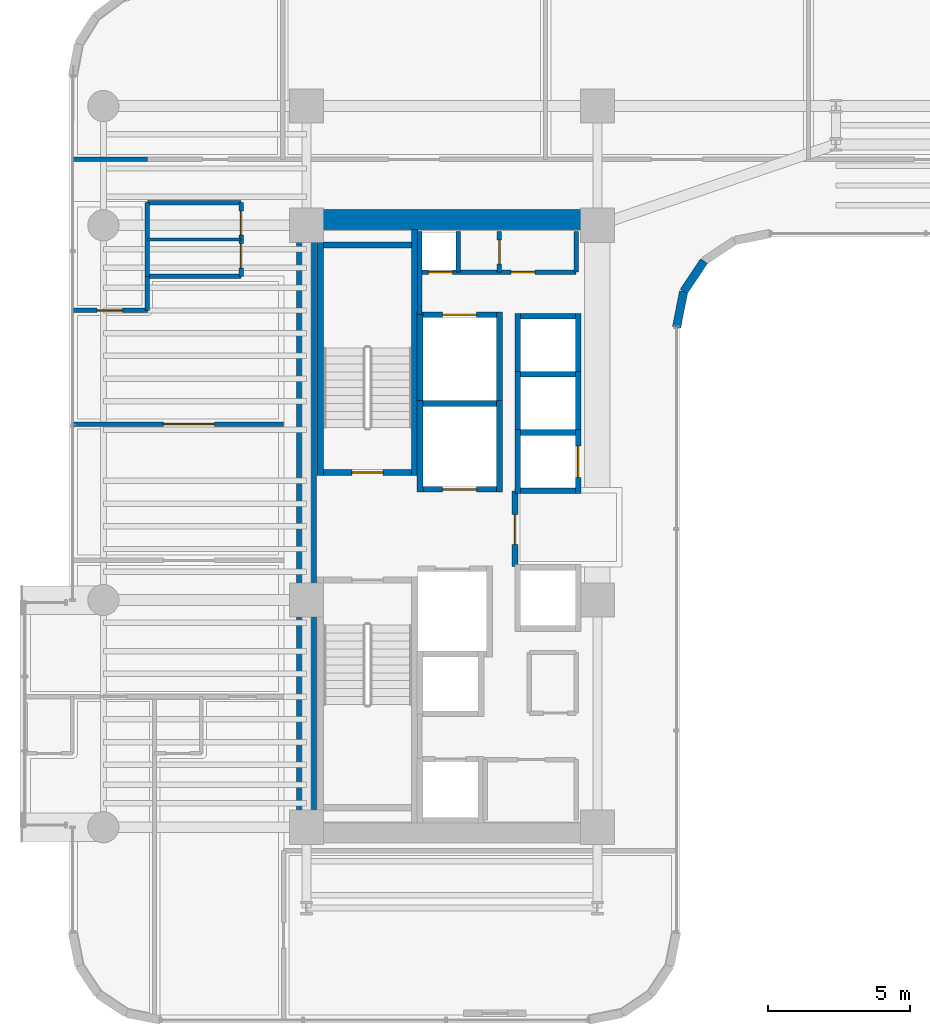
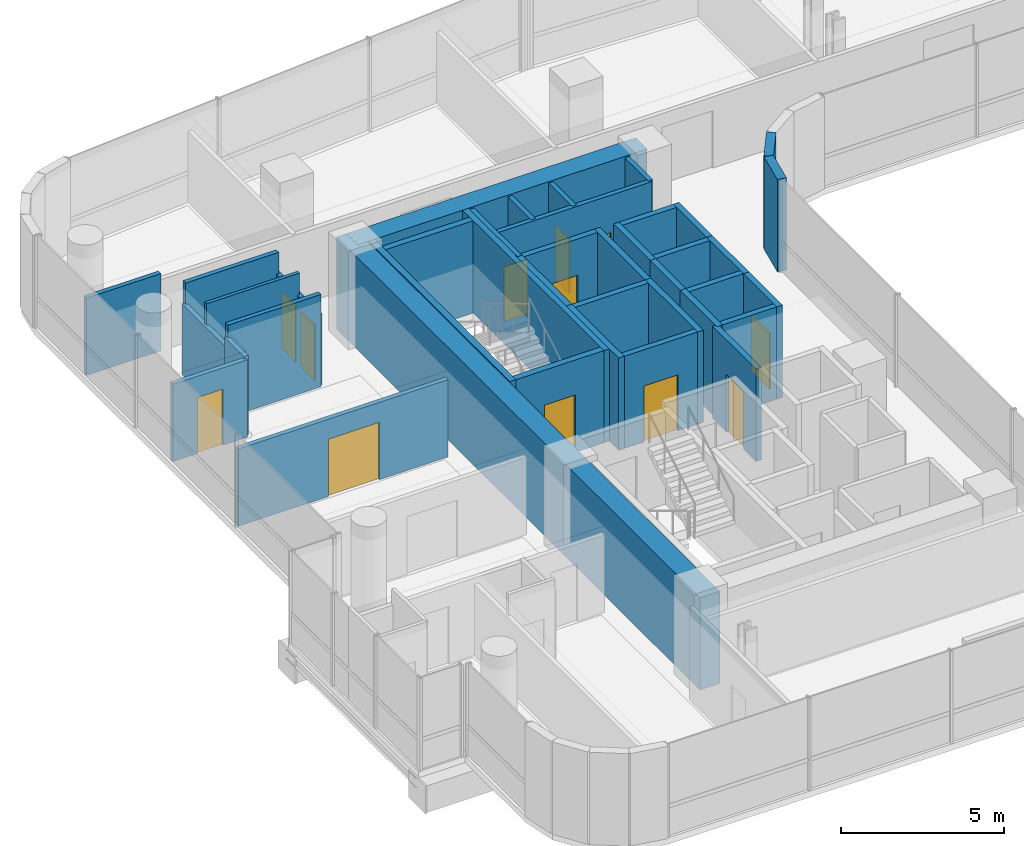
# One storey, part 29 of 37: 40 walls, 12 doors, 12 openings.
"""IFC4 building model written with IfcOpenShell, lengths in metres."""

from ifc_helpers import new_model, si_unit, direction, frame, frame_2d, origin, place, context, subcontext, project, spatial, rectangle, extrude, material, layer, layer_set, type_object, element, fill, save


model = new_model("IFC4")

# Units and contexts
model_context = context("Model", 3, precision=1e-05, world=origin(), true_north=direction((0.0, 1.0)))
body_context = subcontext(model_context, "Body", "Model", "MODEL_VIEW")
ifc_project = project(units=[si_unit("LENGTHUNIT", "METRE"), si_unit("AREAUNIT", "SQUARE_METRE"), si_unit("VOLUMEUNIT", "CUBIC_METRE"), si_unit("PLANEANGLEUNIT", "RADIAN"), si_unit("MASSUNIT", "GRAM", prefix="KILO")], contexts=[model_context])

# Site, building, storey
site_placement = place(None, origin())
site = spatial("IfcSite", under=ifc_project, at=site_placement, CompositionType="ELEMENT")
building_placement = place(site_placement, origin())
building = spatial("IfcBuilding", under=site, at=building_placement, Name="Valdorenza Pilgrim Sanctuary Tower", CompositionType="ELEMENT")
storey_placement = place(building_placement, frame((0.0, 0.0, 135.300048828125)))
storey = spatial("IfcBuildingStorey", under=building, at=storey_placement, Name="L34", CompositionType="ELEMENT", Elevation=135.300048828125)

# Wall
ifc_material_1 = material(Name="Acoustic twin-stud gypsum partition", Category="gypsum")
ifc_layer_1 = layer(ifc_material_1, 0.159912109375, Name="Acoustic twin-stud gypsum partition")
ifc_layer_set_1 = layer_set([ifc_layer_1], Name="Acoustic twin-stud gypsum partition")
wall_type_1 = type_object("IfcWallType", Name="WAL-COR-160", PredefinedType="PARTITIONING", material=ifc_layer_set_1)
wall_1_placement = place(storey_placement, frame((-18.64990234375, 7.449951171875, 0.0), z_axis=(0.0, 0.0, 1.0), x_axis=(0.0, 1.0, 0.0)))
element("IfcWall", 1, at=wall_1_placement, inside=storey, type_object=wall_type_1, Name="L34 Core A North Service West Wall", PredefinedType="PARTITIONING", context=body_context, shape_type="SweptSolid", body=[
    extrude(rectangle(XDim=2.929931640625, YDim=0.159912109375, at=frame_2d((1.46484375, 0.0))), origin(), (0.0, 0.0, 1.0), 3.4599609375),
])

# Wall, openings, doors
wall_2_placement = place(storey_placement, frame((-18.64990234375, 8.949951171875, 0.0), z_axis=(0.0, 0.0, 1.0), x_axis=(1.0, 0.0, 0.0)))
wall_2 = element("IfcWall", 2, at=wall_2_placement, inside=storey, type_object=wall_type_1, Name="L34 Core A North Service South Wall", PredefinedType="PARTITIONING", context=body_context, shape_type="SweptSolid", body=[
    extrude(rectangle(XDim=5.5, YDim=0.159912109375, at=frame_2d((2.75, 0.0))), origin(), (0.0, 0.0, 1.0), 3.4599609375),
])
opening_1_placement = place(wall_2_placement, frame((0.300048828125, 0.0, 0.0)))
opening_1 = element("IfcOpeningElement", 3, at=opening_1_placement, cuts=wall_2, Name="Opening DR-RS1", PredefinedType="OPENING", context=body_context, shape_type="SweptSolid", body=[
    extrude(rectangle(XDim=0.85009765625, YDim=2.050048828125, at=frame_2d((0.425048828125, 1.02490234375))), frame((0.0, 0.0947265625, 0.0), z_axis=(0.0, -1.0, 0.0), x_axis=(1.0, 0.0, 0.0)), (0.0, 0.0, 1.0), 0.189697265625),
])
opening_2_placement = place(wall_2_placement, frame((3.199951171875, 0.0, 0.0)))
opening_2 = element("IfcOpeningElement", 4, at=opening_2_placement, cuts=wall_2, Name="Opening DR-RS1", PredefinedType="OPENING", context=body_context, shape_type="SweptSolid", body=[
    extrude(rectangle(XDim=0.85009765625, YDim=2.050048828125, at=frame_2d((0.425048828125, 1.02490234375))), frame((0.0, 0.0947265625, 0.0), z_axis=(0.0, -1.0, 0.0), x_axis=(1.0, 0.0, 0.0)), (0.0, 0.0, 1.0), 0.189697265625),
])
ifc_material_2 = material(Name="Painted galvanized steel", Category="steel")
door_type_1 = type_object("IfcDoorType", Name="DR-RSR-850", OperationType="NOTDEFINED", PredefinedType="DOOR", material=ifc_material_2)
door_1_placement = place(opening_1_placement, origin())
door_1 = element("IfcDoor", 5, at=door_1_placement, inside=storey, type_object=door_type_1, Name="L34 Core Electrical and Telecom Riser Door", OperationType="SINGLE_SWING_LEFT", OverallHeight=2.050048828125, OverallWidth=0.85009765625, PredefinedType="DOOR", context=body_context, shape_type="SweptSolid", body=[
    extrude(rectangle(XDim=0.85009765625, YDim=2.050048828125, at=frame_2d((0.425048828125, 1.02490234375))), frame((0.0, 0.02490234375, 0.0), z_axis=(0.0, -1.0, 0.0), x_axis=(1.0, 0.0, 0.0)), (0.0, 0.0, 1.0), 0.050048828125),
])
fill(opening_1, door_1)
door_2_placement = place(opening_2_placement, origin())
door_2 = element("IfcDoor", 6, at=door_2_placement, inside=storey, type_object=door_type_1, Name="L34 Housekeeping and Clean Linen Room Door", OperationType="SINGLE_SWING_RIGHT", OverallHeight=2.050048828125, OverallWidth=0.85009765625, PredefinedType="DOOR", context=body_context, shape_type="SweptSolid", body=[
    extrude(rectangle(XDim=0.85009765625, YDim=2.050048828125, at=frame_2d((0.425048828125, 1.02490234375))), frame((0.0, 0.02490234375, 0.0), z_axis=(0.0, -1.0, 0.0), x_axis=(1.0, 0.0, 0.0)), (0.0, 0.0, 1.0), 0.050048828125),
])
fill(opening_2, door_2)

# Walls
for number, where, z_axis, x_axis, name in (
    (7, (-13.14990234375, 8.949951171875, 0.0), (0.0, 0.0, 1.0), (0.0, 1.0, 0.0), "L34 Core A North Service East Wall"),
    (8, (-17.300048828125, 8.949951171875, 0.0), (0.0, 0.0, 1.0), (0.0, 1.0, 0.0), "L34 Core Electrical Riser Wall"),
):
    element("IfcWall", number, at=place(storey_placement, frame(where, z_axis=z_axis, x_axis=x_axis)), inside=storey, type_object=wall_type_1, Name=name, PredefinedType="PARTITIONING", context=body_context, shape_type="SweptSolid", body=[
        extrude(rectangle(XDim=1.429931640625, YDim=0.159912109375, at=frame_2d((0.71484375, 0.0))), origin(), (0.0, 0.0, 1.0), 3.4599609375),
    ])

# Wall, opening, door
wall_3_placement = place(storey_placement, frame((-15.85009765625, 8.949951171875, 0.0), z_axis=(0.0, 0.0, 1.0), x_axis=(0.0, 1.0, 0.0)))
wall_3 = element("IfcWall", 9, at=wall_3_placement, inside=storey, type_object=wall_type_1, Name="L34 Core A Split C", PredefinedType="PARTITIONING", context=body_context, shape_type="SweptSolid", body=[
    extrude(rectangle(XDim=1.429931640625, YDim=0.159912109375, at=frame_2d((0.71484375, 0.0))), origin(), (0.0, 0.0, 1.0), 3.4599609375),
])
opening_3_placement = place(wall_3_placement, frame((0.2900390625, 0.0, 0.0)))
opening_3 = element("IfcOpeningElement", 10, at=opening_3_placement, cuts=wall_3, Name="Opening DR-RS1", PredefinedType="OPENING", context=body_context, shape_type="SweptSolid", body=[
    extrude(rectangle(XDim=0.85009765625, YDim=2.050048828125, at=frame_2d((0.425048828125, 1.02490234375))), frame((0.0, 0.0947265625, 0.0), z_axis=(0.0, -1.0, 0.0), x_axis=(1.0, 0.0, 0.0)), (0.0, 0.0, 1.0), 0.189697265625),
])
door_3_placement = place(opening_3_placement, origin())
door_3 = element("IfcDoor", 11, at=door_3_placement, inside=storey, type_object=door_type_1, Name="L34 Clean Linen Supply Store Door", OperationType="SINGLE_SWING_LEFT", OverallHeight=2.050048828125, OverallWidth=0.85009765625, PredefinedType="DOOR", context=body_context, shape_type="SweptSolid", body=[
    extrude(rectangle(XDim=0.85009765625, YDim=2.050048828125, at=frame_2d((0.425048828125, 1.02490234375))), frame((0.0, 0.02490234375, 0.0), z_axis=(0.0, -1.0, 0.0), x_axis=(1.0, 0.0, 0.0)), (0.0, 0.0, 1.0), 0.050048828125),
])
fill(opening_3, door_3)

# Wall
wall_4_placement = place(storey_placement, frame((-28.25, 8.800048828125, 0.0), z_axis=(0.0, 0.0, 1.0), x_axis=(0.0, 1.0, 0.0)))
element("IfcWall", 12, at=wall_4_placement, inside=storey, type_object=wall_type_1, Name="L34 Washroom West Wall", PredefinedType="PARTITIONING", context=body_context, shape_type="SweptSolid", body=[
    extrude(rectangle(XDim=2.599853515625, YDim=0.159912109375, at=frame_2d((1.2998046875, 0.0))), origin(), (0.0, 0.0, 1.0), 2.666015625),
])

# Wall, openings, doors
wall_5_placement = place(storey_placement, frame((-24.949951171875, 8.800048828125, 0.0), z_axis=(0.0, 0.0, 1.0), x_axis=(0.0, 1.0, 0.0)))
wall_5 = element("IfcWall", 13, at=wall_5_placement, inside=storey, type_object=wall_type_1, Name="L34 Washroom East Wall", PredefinedType="PARTITIONING", context=body_context, shape_type="SweptSolid", body=[
    extrude(rectangle(XDim=2.599853515625, YDim=0.159912109375, at=frame_2d((1.2998046875, 0.0))), origin(), (0.0, 0.0, 1.0), 2.666015625),
])
opening_4_placement = place(wall_5_placement, frame((0.300048828125, 0.0, 0.0)))
opening_4 = element("IfcOpeningElement", 14, at=opening_4_placement, cuts=wall_5, Name="Opening DR-WC1", PredefinedType="OPENING", context=body_context, shape_type="SweptSolid", body=[
    extrude(rectangle(XDim=0.85009765625, YDim=2.10009765625, at=frame_2d((0.425048828125, 1.050048828125))), frame((0.0, 0.0947265625, 0.0), z_axis=(0.0, -1.0, 0.0), x_axis=(1.0, 0.0, 0.0)), (0.0, 0.0, 1.0), 0.189697265625),
])
opening_5_placement = place(wall_5_placement, frame((1.449951171875, 0.0, 0.0)))
opening_5 = element("IfcOpeningElement", 15, at=opening_5_placement, cuts=wall_5, Name="Opening DR-WC1", PredefinedType="OPENING", context=body_context, shape_type="SweptSolid", body=[
    extrude(rectangle(XDim=0.85009765625, YDim=2.10009765625, at=frame_2d((0.425048828125, 1.050048828125))), frame((0.0, 0.0947265625, 0.0), z_axis=(0.0, -1.0, 0.0), x_axis=(1.0, 0.0, 0.0)), (0.0, 0.0, 1.0), 0.189697265625),
])
ifc_material_3 = material(Name="Moisture-resistant lacquered timber", Category="wood")
door_type_2 = type_object("IfcDoorType", Name="DR-BATH-850", OperationType="NOTDEFINED", PredefinedType="DOOR", material=ifc_material_3)
door_4_placement = place(opening_4_placement, origin())
door_4 = element("IfcDoor", 16, at=door_4_placement, inside=storey, type_object=door_type_2, Name="L34 Accessible Washroom Door", OperationType="SINGLE_SWING_LEFT", OverallHeight=2.10009765625, OverallWidth=0.85009765625, PredefinedType="DOOR", context=body_context, shape_type="SweptSolid", body=[
    extrude(rectangle(XDim=0.85009765625, YDim=2.10009765625, at=frame_2d((0.425048828125, 1.050048828125))), frame((0.0, 0.02490234375, 0.0), z_axis=(0.0, -1.0, 0.0), x_axis=(1.0, 0.0, 0.0)), (0.0, 0.0, 1.0), 0.050048828125),
])
fill(opening_4, door_4)
door_5_placement = place(opening_5_placement, origin())
door_5 = element("IfcDoor", 17, at=door_5_placement, inside=storey, type_object=door_type_2, Name="L34 Public Washroom Door", OperationType="SINGLE_SWING_RIGHT", OverallHeight=2.10009765625, OverallWidth=0.85009765625, PredefinedType="DOOR", context=body_context, shape_type="SweptSolid", body=[
    extrude(rectangle(XDim=0.85009765625, YDim=2.10009765625, at=frame_2d((0.425048828125, 1.050048828125))), frame((0.0, 0.02490234375, 0.0), z_axis=(0.0, -1.0, 0.0), x_axis=(1.0, 0.0, 0.0)), (0.0, 0.0, 1.0), 0.050048828125),
])
fill(opening_5, door_5)

# Walls
for number, where, z_axis, x_axis, name in (
    (18, (-28.25, 8.800048828125, 0.0), (0.0, 0.0, 1.0), (1.0, 0.0, 0.0), "L34 Washroom South Wall"),
    (19, (-28.25, 11.39990234375, 0.0), (0.0, 0.0, 1.0), (1.0, 0.0, 0.0), "L34 Washroom North Wall"),
):
    element("IfcWall", number, at=place(storey_placement, frame(where, z_axis=z_axis, x_axis=x_axis)), inside=storey, type_object=wall_type_1, Name=name, PredefinedType="PARTITIONING", context=body_context, shape_type="SweptSolid", body=[
        extrude(rectangle(XDim=3.300048828125, YDim=0.159912109375, at=frame_2d((1.64990234375, 0.0))), origin(), (0.0, 0.0, 1.0), 3.4599609375),
    ])

# Wall, opening, door
wall_6_placement = place(storey_placement, frame((-30.889892578125, 7.60009765625, 0.0), z_axis=(0.0, 0.0, 1.0), x_axis=(1.0, 0.0, 0.0)))
wall_6 = element("IfcWall", 20, at=wall_6_placement, inside=storey, type_object=wall_type_1, Name="L34 Cloister North Room Wall", PredefinedType="PARTITIONING", context=body_context, shape_type="SweptSolid", body=[
    extrude(rectangle(XDim=2.639892578125, YDim=0.159912109375, at=frame_2d((1.31982421875, 0.0))), origin(), (0.0, 0.0, 1.0), 2.89599609375),
])
opening_6_placement = place(wall_6_placement, frame((0.8701171875, 0.0, 0.0)))
opening_6 = element("IfcOpeningElement", 21, at=opening_6_placement, cuts=wall_6, Name="Opening DR-RM1", PredefinedType="OPENING", context=body_context, shape_type="SweptSolid", body=[
    extrude(rectangle(XDim=0.89990234375, YDim=2.10009765625, at=frame_2d((0.449951171875, 1.050048828125))), frame((0.0, 0.0947265625, 0.0), z_axis=(0.0, -1.0, 0.0), x_axis=(1.0, 0.0, 0.0)), (0.0, 0.0, 1.0), 0.189697265625),
])
ifc_material_4 = material(Name="Solid-core European oak timber", Category="wood")
door_type_3 = type_object("IfcDoorType", Name="DR-ROOM-900", OperationType="NOTDEFINED", PredefinedType="DOOR", material=ifc_material_4)
door_6_placement = place(opening_6_placement, frame((0.89990234375, 0.0, 0.0), z_axis=(0.0, 0.0, 1.0), x_axis=(-1.0, 0.0, 0.0)))
door_6 = element("IfcDoor", 22, at=door_6_placement, inside=storey, type_object=door_type_3, Name="L34 Pastoral Scholar Office L34-CN1 Door", OperationType="SINGLE_SWING_LEFT", OverallHeight=2.10009765625, OverallWidth=0.89990234375, PredefinedType="DOOR", context=body_context, shape_type="SweptSolid", body=[
    extrude(rectangle(XDim=0.89990234375, YDim=2.10009765625, at=frame_2d((0.449951171875, 1.050048828125))), frame((0.0, 0.02490234375, 0.0), z_axis=(0.0, -1.0, 0.0), x_axis=(1.0, 0.0, 0.0)), (0.0, 0.0, 1.0), 0.050048828125),
])
fill(opening_6, door_6)

# Wall
wall_7_placement = place(storey_placement, frame((-28.25, 7.60009765625, 0.0), z_axis=(0.0, 0.0, 1.0), x_axis=(0.0, 1.0, 0.0)))
element("IfcWall", 23, at=wall_7_placement, inside=storey, type_object=wall_type_1, Name="L34 Cloister NE Closure", PredefinedType="PARTITIONING", context=body_context, shape_type="SweptSolid", body=[
    extrude(rectangle(XDim=1.199951171875, YDim=0.159912109375, at=frame_2d((0.60009765625, 0.0))), origin(), (0.0, 0.0, 1.0), 2.988037109375),
])

# Wall, opening, door
wall_8_placement = place(storey_placement, frame((-30.889892578125, 3.60009765625, 0.0), z_axis=(0.0, 0.0, 1.0), x_axis=(1.0, 0.0, 0.0)))
wall_8 = element("IfcWall", 24, at=wall_8_placement, inside=storey, type_object=wall_type_1, Name="L34 Cloister Mid Wall 2", PredefinedType="PARTITIONING", context=body_context, shape_type="SweptSolid", body=[
    extrude(rectangle(XDim=7.43994140625, YDim=0.159912109375, at=frame_2d((3.719970703125, 0.0))), origin(), (0.0, 0.0, 1.0), 2.89599609375),
])
opening_7_placement = place(wall_8_placement, frame((3.199951171875, 0.0, 0.0)))
opening_7 = element("IfcOpeningElement", 25, at=opening_7_placement, cuts=wall_8, Name="Opening DR-HL1", PredefinedType="OPENING", context=body_context, shape_type="SweptSolid", body=[
    extrude(rectangle(XDim=1.800048828125, YDim=2.14990234375, at=frame_2d((0.89990234375, 1.074951171875))), frame((0.0, 0.0947265625, 0.0), z_axis=(0.0, -1.0, 0.0), x_axis=(1.0, 0.0, 0.0)), (0.0, 0.0, 1.0), 0.189697265625),
])
ifc_material_5 = material(Name="Acoustic oak and vision-glass double door", Category="glass")
door_type_4 = type_object("IfcDoorType", Name="DR-HALL-1800", OperationType="NOTDEFINED", PredefinedType="DOOR", material=ifc_material_5)
door_7_placement = place(opening_7_placement, frame((1.800048828125, 0.0, 0.0), z_axis=(0.0, 0.0, 1.0), x_axis=(-1.0, 0.0, 0.0)))
door_7 = element("IfcDoor", 26, at=door_7_placement, inside=storey, type_object=door_type_4, Name="L34 Cloister Mid-North Double Door", OperationType="DOUBLE_DOOR_SINGLE_SWING", OverallHeight=2.14990234375, OverallWidth=1.800048828125, PredefinedType="DOOR", context=body_context, shape_type="SweptSolid", body=[
    extrude(rectangle(XDim=1.800048828125, YDim=2.14990234375, at=frame_2d((0.89990234375, 1.074951171875))), frame((0.0, 0.02490234375, 0.0), z_axis=(0.0, -1.0, 0.0), x_axis=(1.0, 0.0, 0.0)), (0.0, 0.0, 1.0), 0.050048828125),
])
fill(opening_7, door_7)

# Walls
wall_9_placement = place(storey_placement, frame((-30.889892578125, 12.919921875, 0.0), z_axis=(0.0, 0.0, 1.0), x_axis=(1.0, 0.0, 0.0)))
element("IfcWall", 27, at=wall_9_placement, inside=storey, type_object=wall_type_1, Name="L34 Cloister North Solid Partition", PredefinedType="PARTITIONING", context=body_context, shape_type="SweptSolid", body=[
    extrude(rectangle(XDim=2.639892578125, YDim=0.159912109375, at=frame_2d((1.31982421875, 0.0))), origin(), (0.0, 0.0, 1.0), 2.89599609375),
])
ifc_material_6 = material(Name="Concrete C60/75", Category="concrete")
ifc_layer_2 = layer(ifc_material_6, 0.699951171875, Name="Concrete C60/75")
ifc_layer_set_2 = layer_set([ifc_layer_2], Name="Concrete C60/75")
wall_type_2 = type_object("IfcWallType", Name="WAL-COR-700", PredefinedType="SHEAR", material=ifc_layer_set_2)
wall_10_placement = place(storey_placement, frame((-22.64990234375, -11.14990234375, 0.0), z_axis=(0.0, 0.0, 1.0), x_axis=(0.0, 1.0, 0.0)))
element("IfcWall", 28, at=wall_10_placement, inside=storey, type_object=wall_type_2, Name="L34 Split Core A Shear Wall W", PredefinedType="SHEAR", context=body_context, shape_type="SweptSolid", body=[
    extrude(rectangle(XDim=22.2998046875, YDim=0.699951171875, at=frame_2d((11.14990234375, 0.0))), origin(), (0.0, 0.0, 1.0), 3.4599609375),
])
wall_11_placement = place(storey_placement, frame((-22.64990234375, 10.800048828125, 0.0), z_axis=(0.0, 0.0, 1.0), x_axis=(1.0, 0.0, 0.0)))
element("IfcWall", 29, at=wall_11_placement, inside=storey, type_object=wall_type_2, Name="L34 Split Core A Shear Wall N", PredefinedType="SHEAR", context=body_context, shape_type="SweptSolid", body=[
    extrude(rectangle(XDim=10.25, YDim=0.699951171875, at=frame_2d((5.125, 0.0))), origin(), (0.0, 0.0, 1.0), 3.4599609375),
])
ifc_material_7 = material(Name="Honed travertine limestone", Category="masonry")
ifc_layer_3 = layer(ifc_material_7, 0.300048828125, Name="Honed travertine limestone")
ifc_layer_set_3 = layer_set([ifc_layer_3], Name="Honed travertine limestone")
wall_type_3 = type_object("IfcWallType", Name="WAL-EXT-300", PredefinedType="SOLIDWALL", material=ifc_layer_set_3)
wall_12_placement = place(storey_placement, frame((-8.64208984375, 9.342041015625, 0.0), z_axis=(0.0, 0.0, 1.0), x_axis=(-0.555615398575, -0.831439431869, 0.0)))
element("IfcWall", 30, at=wall_12_placement, inside=storey, type_object=wall_type_3, Name="L34 Rounded Wind-Corner Stone Pier 39", PredefinedType="SOLIDWALL", context=body_context, shape_type="SweptSolid", body=[
    extrude(rectangle(XDim=1.292236328125, YDim=0.300048828125, at=frame_2d((0.64599609375, 0.0))), origin(), (0.0, 0.0, 1.0), 3.4599609375),
])
wall_13_placement = place(storey_placement, frame((-9.360107421875, 8.267578125, 0.0), z_axis=(0.0, 0.0, 1.0), x_axis=(-0.195090163074, -0.980785312019, 0.0)))
element("IfcWall", 31, at=wall_13_placement, inside=storey, type_object=wall_type_3, Name="L34 Rounded Wind-Corner Stone Pier 40", PredefinedType="SOLIDWALL", context=body_context, shape_type="SweptSolid", body=[
    extrude(rectangle(XDim=1.281494140625, YDim=0.300048828125, at=frame_2d((0.640625, 0.0))), origin(), (0.0, 0.0, 1.0), 3.4599609375),
])

# Wall, opening, door
ifc_material_8 = material(Name="Gypsum shaftwall partition", Category="gypsum")
ifc_layer_4 = layer(ifc_material_8, 0.199951171875, Name="Gypsum shaftwall partition")
ifc_layer_set_4 = layer_set([ifc_layer_4], Name="Gypsum shaftwall partition")
wall_type_4 = type_object("IfcWallType", Name="WAL-FFL-200", PredefinedType="PARTITIONING", material=ifc_layer_set_4)
wall_14_placement = place(storey_placement, frame((-15.300048828125, -1.419921875, 0.0), z_axis=(0.0, 0.0, 1.0), x_axis=(0.0, 1.0, 0.0)))
wall_14 = element("IfcWall", 32, at=wall_14_placement, inside=storey, type_object=wall_type_4, Name="L34 Core A Firefighting Lobby East Wall", PredefinedType="PARTITIONING", context=body_context, shape_type="SweptSolid", body=[
    extrude(rectangle(XDim=2.669921875, YDim=0.199951171875, at=frame_2d((1.3349609375, 0.0))), origin(), (0.0, 0.0, 1.0), 3.4599609375),
])
opening_8_placement = place(wall_14_placement, frame((0.780029296875, 0.0, 0.0)))
opening_8 = element("IfcOpeningElement", 33, at=opening_8_placement, cuts=wall_14, Name="Opening DR-FL1", PredefinedType="OPENING", context=body_context, shape_type="SweptSolid", body=[
    extrude(rectangle(XDim=1.050048828125, YDim=2.14990234375, at=frame_2d((0.52490234375, 1.074951171875))), frame((0.0, 0.11474609375, 0.0), z_axis=(0.0, -1.0, 0.0), x_axis=(1.0, 0.0, 0.0)), (0.0, 0.0, 1.0), 0.229736328125),
])
door_type_5 = type_object("IfcDoorType", Name="DR-FFL-1050", OperationType="NOTDEFINED", PredefinedType="DOOR", material=ifc_material_2)
door_8_placement = place(opening_8_placement, origin())
door_8 = element("IfcDoor", 34, at=door_8_placement, inside=storey, type_object=door_type_5, Name="L34 Core A Firefighting Lobby Door", OperationType="SINGLE_SWING_RIGHT", OverallHeight=2.14990234375, OverallWidth=1.050048828125, PredefinedType="DOOR", context=body_context, shape_type="SweptSolid", body=[
    extrude(rectangle(XDim=1.050048828125, YDim=2.14990234375, at=frame_2d((0.52490234375, 1.074951171875))), frame((0.0, 0.02490234375, 0.0), z_axis=(0.0, -1.0, 0.0), x_axis=(1.0, 0.0, 0.0)), (0.0, 0.0, 1.0), 0.050048828125),
])
fill(opening_8, door_8)

# Walls
ifc_material_9 = material(Name="Moisture-resistant gypsum partition", Category="gypsum")
ifc_layer_5 = layer(ifc_material_9, 0.1201171875, Name="Moisture-resistant gypsum partition")
ifc_layer_set_5 = layer_set([ifc_layer_5], Name="Moisture-resistant gypsum partition")
wall_type_5 = type_object("IfcWallType", Name="WAL-INT-120", PredefinedType="PARTITIONING", material=ifc_layer_set_5)
wall_15_placement = place(storey_placement, frame((-28.25, 10.10009765625, 0.0), z_axis=(0.0, 0.0, 1.0), x_axis=(1.0, 0.0, 0.0)))
element("IfcWall", 35, at=wall_15_placement, inside=storey, type_object=wall_type_5, Name="L34 Washroom Divider Wall", PredefinedType="PARTITIONING", context=body_context, shape_type="SweptSolid", body=[
    extrude(rectangle(XDim=3.300048828125, YDim=0.1201171875, at=frame_2d((1.64990234375, 0.0))), origin(), (0.0, 0.0, 1.0), 3.4599609375),
])
ifc_material_10 = material(Name="Autoclaved aerated concrete blockwork", Category="masonry")
ifc_layer_6 = layer(ifc_material_10, 0.199951171875, Name="Autoclaved aerated concrete blockwork")
ifc_layer_set_6 = layer_set([ifc_layer_6], Name="Autoclaved aerated concrete blockwork")
wall_type_6 = type_object("IfcWallType", Name="WAL-SHF-200", PredefinedType="MOVABLE", material=ifc_layer_set_6)
for number, where, z_axis, x_axis, name in (
    (36, (-18.64990234375, 1.199951171875, 0.0), (0.0, 0.0, 1.0), (0.0, 1.0, 0.0), "L34 Lift FFL-01 Hoistway Wall West"),
    (37, (-15.85009765625, 1.199951171875, 0.0), (0.0, 0.0, 1.0), (0.0, 1.0, 0.0), "L34 Lift FFL-01 Hoistway Wall East"),
):
    element("IfcWall", number, at=place(storey_placement, frame(where, z_axis=z_axis, x_axis=x_axis)), inside=storey, type_object=wall_type_6, Name=name, PredefinedType="MOVABLE", context=body_context, shape_type="SweptSolid", body=[
        extrude(rectangle(XDim=3.22509765625, YDim=0.199951171875, at=frame_2d((1.612548828125, 0.0))), origin(), (0.0, 0.0, 1.0), 3.4599609375),
    ])

# Wall, opening, door
wall_16_placement = place(storey_placement, frame((-18.550048828125, 1.300048828125, 0.0), z_axis=(0.0, 0.0, 1.0), x_axis=(1.0, 0.0, 0.0)))
wall_16 = element("IfcWall", 38, at=wall_16_placement, inside=storey, type_object=wall_type_6, Name="L34 Lift FFL-01 Hoistway Wall South", PredefinedType="MOVABLE", context=body_context, shape_type="SweptSolid", body=[
    extrude(rectangle(XDim=2.60009765625, YDim=0.199951171875, at=frame_2d((1.300048828125, 0.0))), origin(), (0.0, 0.0, 1.0), 3.4599609375),
])
opening_9_placement = place(wall_16_placement, frame((0.699951171875, 0.0, 0.0)))
opening_9 = element("IfcOpeningElement", 39, at=opening_9_placement, cuts=wall_16, Name="Opening LD-02", PredefinedType="OPENING", context=body_context, shape_type="SweptSolid", body=[
    extrude(rectangle(XDim=1.199951171875, YDim=2.10009765625, at=frame_2d((0.60009765625, 1.050048828125))), frame((0.0, 0.11474609375, 0.0), z_axis=(0.0, -1.0, 0.0), x_axis=(1.0, 0.0, 0.0)), (0.0, 0.0, 1.0), 0.229736328125),
])
ifc_material_11 = material(Name="Brushed stainless steel Grade 316", Category="steel")
door_type_6 = type_object("IfcDoorType", Name="DR-LFT-1200", OperationType="DOUBLE_DOOR_SLIDING", PredefinedType="DOOR", material=ifc_material_11)
door_9_placement = place(opening_9_placement, origin())
door_9 = element("IfcDoor", 40, at=door_9_placement, inside=storey, type_object=door_type_6, Name="L34 Lift FFL-01 Sliding Landing Door", OperationType="DOUBLE_DOOR_SLIDING", OverallHeight=2.10009765625, OverallWidth=1.199951171875, PredefinedType="DOOR", context=body_context, shape_type="SweptSolid", body=[
    extrude(rectangle(XDim=1.199951171875, YDim=2.10009765625, at=frame_2d((0.60009765625, 1.050048828125))), frame((0.0, 0.02490234375, 0.0), z_axis=(0.0, -1.0, 0.0), x_axis=(1.0, 0.0, 0.0)), (0.0, 0.0, 1.0), 0.050048828125),
])
fill(opening_9, door_9)

# Walls
wall_17_placement = place(storey_placement, frame((-18.550048828125, 4.324951171875, 0.0), z_axis=(0.0, 0.0, 1.0), x_axis=(1.0, 0.0, 0.0)))
element("IfcWall", 41, at=wall_17_placement, inside=storey, type_object=wall_type_6, Name="L34 Lift FFL-01 Hoistway Wall North", PredefinedType="MOVABLE", context=body_context, shape_type="SweptSolid", body=[
    extrude(rectangle(XDim=2.60009765625, YDim=0.199951171875, at=frame_2d((1.300048828125, 0.0))), origin(), (0.0, 0.0, 1.0), 3.4599609375),
])
for number, where, z_axis, x_axis, name in (
    (42, (-18.64990234375, 4.22509765625, 0.0), (0.0, 0.0, 1.0), (0.0, 1.0, 0.0), "L34 Lift SVL-01 Hoistway Wall West"),
    (43, (-15.85009765625, 4.22509765625, 0.0), (0.0, 0.0, 1.0), (0.0, 1.0, 0.0), "L34 Lift SVL-01 Hoistway Wall East"),
):
    element("IfcWall", number, at=place(storey_placement, frame(where, z_axis=z_axis, x_axis=x_axis)), inside=storey, type_object=wall_type_6, Name=name, PredefinedType="MOVABLE", context=body_context, shape_type="SweptSolid", body=[
        extrude(rectangle(XDim=3.324951171875, YDim=0.199951171875, at=frame_2d((1.66259765625, 0.0))), origin(), (0.0, 0.0, 1.0), 3.4599609375),
    ])

# Wall, opening, door
wall_18_placement = place(storey_placement, frame((-18.550048828125, 7.449951171875, 0.0), z_axis=(0.0, 0.0, 1.0), x_axis=(1.0, 0.0, 0.0)))
wall_18 = element("IfcWall", 44, at=wall_18_placement, inside=storey, type_object=wall_type_6, Name="L34 Lift SVL-01 Hoistway Wall North", PredefinedType="MOVABLE", context=body_context, shape_type="SweptSolid", body=[
    extrude(rectangle(XDim=2.60009765625, YDim=0.199951171875, at=frame_2d((1.300048828125, 0.0))), origin(), (0.0, 0.0, 1.0), 3.4599609375),
])
opening_10_placement = place(wall_18_placement, frame((0.699951171875, 0.0, 0.0)))
opening_10 = element("IfcOpeningElement", 45, at=opening_10_placement, cuts=wall_18, Name="Opening LD-02", PredefinedType="OPENING", context=body_context, shape_type="SweptSolid", body=[
    extrude(rectangle(XDim=1.199951171875, YDim=2.10009765625, at=frame_2d((0.60009765625, 1.050048828125))), frame((0.0, 0.11474609375, 0.0), z_axis=(0.0, -1.0, 0.0), x_axis=(1.0, 0.0, 0.0)), (0.0, 0.0, 1.0), 0.229736328125),
])
door_10_placement = place(opening_10_placement, origin())
door_10 = element("IfcDoor", 46, at=door_10_placement, inside=storey, type_object=door_type_6, Name="L34 Lift SVL-01 Sliding Landing Door", OperationType="DOUBLE_DOOR_SLIDING", OverallHeight=2.10009765625, OverallWidth=1.199951171875, PredefinedType="DOOR", context=body_context, shape_type="SweptSolid", body=[
    extrude(rectangle(XDim=1.199951171875, YDim=2.10009765625, at=frame_2d((0.60009765625, 1.050048828125))), frame((0.0, 0.02490234375, 0.0), z_axis=(0.0, -1.0, 0.0), x_axis=(1.0, 0.0, 0.0)), (0.0, 0.0, 1.0), 0.050048828125),
])
fill(opening_10, door_10)

# Wall
wall_19_placement = place(storey_placement, frame((-15.199951171875, 1.14990234375, 0.0), z_axis=(0.0, 0.0, 1.0), x_axis=(0.0, 1.0, 0.0)))
element("IfcWall", 47, at=wall_19_placement, inside=storey, type_object=wall_type_6, Name="L34 Lift PL-06 Hoistway Wall West", PredefinedType="MOVABLE", context=body_context, shape_type="SweptSolid", body=[
    extrude(rectangle(XDim=2.25, YDim=0.199951171875, at=frame_2d((1.125, 0.0))), origin(), (0.0, 0.0, 1.0), 3.4599609375),
])

# Wall, opening, door
wall_20_placement = place(storey_placement, frame((-13.080078125, 1.14990234375, 0.0), z_axis=(0.0, 0.0, 1.0), x_axis=(0.0, 1.0, 0.0)))
wall_20 = element("IfcWall", 48, at=wall_20_placement, inside=storey, type_object=wall_type_6, Name="L34 Lift PL-06 Hoistway Wall East", PredefinedType="MOVABLE", context=body_context, shape_type="SweptSolid", body=[
    extrude(rectangle(XDim=2.25, YDim=0.199951171875, at=frame_2d((1.125, 0.0))), origin(), (0.0, 0.0, 1.0), 3.4599609375),
])
opening_11_placement = place(wall_20_placement, frame((0.574951171875, 0.0, 0.0)))
opening_11 = element("IfcOpeningElement", 49, at=opening_11_placement, cuts=wall_20, Name="Opening LD-01", PredefinedType="OPENING", context=body_context, shape_type="SweptSolid", body=[
    extrude(rectangle(XDim=1.10009765625, YDim=2.10009765625, at=frame_2d((0.550048828125, 1.050048828125))), frame((0.0, 0.11474609375, 0.0), z_axis=(0.0, -1.0, 0.0), x_axis=(1.0, 0.0, 0.0)), (0.0, 0.0, 1.0), 0.229736328125),
])
door_type_7 = type_object("IfcDoorType", Name="DR-LFT-1100", OperationType="DOUBLE_DOOR_SLIDING", PredefinedType="DOOR", material=ifc_material_11)
door_11_placement = place(opening_11_placement, origin())
door_11 = element("IfcDoor", 50, at=door_11_placement, inside=storey, type_object=door_type_7, Name="L34 Lift PL-06 Sliding Landing Door", OperationType="DOUBLE_DOOR_SLIDING", OverallHeight=2.10009765625, OverallWidth=1.10009765625, PredefinedType="DOOR", context=body_context, shape_type="SweptSolid", body=[
    extrude(rectangle(XDim=1.10009765625, YDim=2.10009765625, at=frame_2d((0.550048828125, 1.050048828125))), frame((0.0, 0.02490234375, 0.0), z_axis=(0.0, -1.0, 0.0), x_axis=(1.0, 0.0, 0.0)), (0.0, 0.0, 1.0), 0.050048828125),
])
fill(opening_11, door_11)

# Walls
wall_21_placement = place(storey_placement, frame((-15.10009765625, 1.25, 0.0), z_axis=(0.0, 0.0, 1.0), x_axis=(1.0, 0.0, 0.0)))
element("IfcWall", 51, at=wall_21_placement, inside=storey, type_object=wall_type_6, Name="L34 Lift PL-06 Hoistway Wall South", PredefinedType="MOVABLE", context=body_context, shape_type="SweptSolid", body=[
    extrude(rectangle(XDim=1.920166015625, YDim=0.199951171875, at=frame_2d((0.9599609375, 0.0))), origin(), (0.0, 0.0, 1.0), 3.4599609375),
])
for number, where, z_axis, x_axis, name in (
    (52, (-15.199951171875, 3.199951171875, 0.0), (0.0, 0.0, 1.0), (0.0, 1.0, 0.0), "L34 Lift PL-09 Hoistway Wall West"),
    (53, (-13.080078125, 3.199951171875, 0.0), (0.0, 0.0, 1.0), (0.0, 1.0, 0.0), "L34 Lift PL-09 Hoistway Wall East"),
):
    element("IfcWall", number, at=place(storey_placement, frame(where, z_axis=z_axis, x_axis=x_axis)), inside=storey, type_object=wall_type_6, Name=name, PredefinedType="MOVABLE", context=body_context, shape_type="SweptSolid", body=[
        extrude(rectangle(XDim=2.25, YDim=0.199951171875, at=frame_2d((1.125, 0.0))), origin(), (0.0, 0.0, 1.0), 3.4599609375),
    ])
for number, where, z_axis, x_axis, name in (
    (54, (-15.10009765625, 3.300048828125, 0.0), (0.0, 0.0, 1.0), (1.0, 0.0, 0.0), "L34 Lift PL-09 Hoistway Wall South"),
    (55, (-15.10009765625, 5.35009765625, 0.0), (0.0, 0.0, 1.0), (1.0, 0.0, 0.0), "L34 Lift PL-09 Hoistway Wall North"),
):
    element("IfcWall", number, at=place(storey_placement, frame(where, z_axis=z_axis, x_axis=x_axis)), inside=storey, type_object=wall_type_6, Name=name, PredefinedType="MOVABLE", context=body_context, shape_type="SweptSolid", body=[
        extrude(rectangle(XDim=1.920166015625, YDim=0.199951171875, at=frame_2d((0.9599609375, 0.0))), origin(), (0.0, 0.0, 1.0), 3.4599609375),
    ])
for number, where, z_axis, x_axis, name in (
    (56, (-15.199951171875, 5.25, 0.0), (0.0, 0.0, 1.0), (0.0, 1.0, 0.0), "L34 Lift PL-10 Hoistway Wall West"),
    (57, (-13.080078125, 5.25, 0.0), (0.0, 0.0, 1.0), (0.0, 1.0, 0.0), "L34 Lift PL-10 Hoistway Wall East"),
):
    element("IfcWall", number, at=place(storey_placement, frame(where, z_axis=z_axis, x_axis=x_axis)), inside=storey, type_object=wall_type_6, Name=name, PredefinedType="MOVABLE", context=body_context, shape_type="SweptSolid", body=[
        extrude(rectangle(XDim=2.25, YDim=0.199951171875, at=frame_2d((1.125, 0.0))), origin(), (0.0, 0.0, 1.0), 3.4599609375),
    ])
wall_22_placement = place(storey_placement, frame((-15.10009765625, 7.39990234375, 0.0), z_axis=(0.0, 0.0, 1.0), x_axis=(1.0, 0.0, 0.0)))
element("IfcWall", 58, at=wall_22_placement, inside=storey, type_object=wall_type_6, Name="L34 Lift PL-10 Hoistway Wall North", PredefinedType="MOVABLE", context=body_context, shape_type="SweptSolid", body=[
    extrude(rectangle(XDim=1.920166015625, YDim=0.199951171875, at=frame_2d((0.9599609375, 0.0))), origin(), (0.0, 0.0, 1.0), 3.4599609375),
])
ifc_material_12 = material(Name="Concrete C40/50", Category="concrete")
ifc_layer_7 = layer(ifc_material_12, 0.219970703125, Name="Concrete C40/50")
ifc_layer_set_7 = layer_set([ifc_layer_7], Name="Concrete C40/50")
wall_type_7 = type_object("IfcWallType", Name="WAL-STR-SHF-220", PredefinedType="SHEAR", material=ifc_layer_set_7)
for number, where, z_axis, x_axis, name in (
    (59, (-22.159912109375, 1.780029296875, 0.0), (0.0, 0.0, 1.0), (0.0, 1.0, 0.0), "L34 ST-A1 Structural Stairwell Wall W"),
    (60, (-18.830078125, 1.780029296875, 0.0), (0.0, 0.0, 1.0), (0.0, 1.0, 0.0), "L34 ST-A1 Structural Stairwell Wall E"),
):
    element("IfcWall", number, at=place(storey_placement, frame(where, z_axis=z_axis, x_axis=x_axis)), inside=storey, type_object=wall_type_7, Name=name, PredefinedType="SHEAR", context=body_context, shape_type="SweptSolid", body=[
        extrude(rectangle(XDim=8.669921875, YDim=0.219970703125, at=frame_2d((4.3349609375, 0.0))), origin(), (0.0, 0.0, 1.0), 3.4599609375),
    ])

# Wall, opening, door
wall_23_placement = place(storey_placement, frame((-22.050048828125, 1.889892578125, 0.0), z_axis=(0.0, 0.0, 1.0), x_axis=(1.0, 0.0, 0.0)))
wall_23 = element("IfcWall", 61, at=wall_23_placement, inside=storey, type_object=wall_type_7, Name="L34 ST-A1 Structural Stairwell Wall S", PredefinedType="SHEAR", context=body_context, shape_type="SweptSolid", body=[
    extrude(rectangle(XDim=3.110107421875, YDim=0.219970703125, at=frame_2d((1.55517578125, 0.0))), origin(), (0.0, 0.0, 1.0), 3.4599609375),
])
opening_12_placement = place(wall_23_placement, frame((1.0, 0.0, 0.0)))
opening_12 = element("IfcOpeningElement", 62, at=opening_12_placement, cuts=wall_23, Name="Opening DR-ST1", PredefinedType="OPENING", context=body_context, shape_type="SweptSolid", body=[
    extrude(rectangle(XDim=1.10009765625, YDim=2.14990234375, at=frame_2d((0.550048828125, 1.074951171875))), frame((0.0, 0.125, 0.0), z_axis=(0.0, -1.0, 0.0), x_axis=(1.0, 0.0, 0.0)), (0.0, 0.0, 1.0), 0.249755859375),
])
door_type_8 = type_object("IfcDoorType", Name="DR-STAIR-1100", OperationType="NOTDEFINED", PredefinedType="DOOR", material=ifc_material_2)
door_12_placement = place(opening_12_placement, frame((1.10009765625, 0.0, 0.0), z_axis=(0.0, 0.0, 1.0), x_axis=(-1.0, 0.0, 0.0)))
door_12 = element("IfcDoor", 63, at=door_12_placement, inside=storey, type_object=door_type_8, Name="L34 Exit Stair ST-A1 Door", OperationType="SINGLE_SWING_LEFT", OverallHeight=2.14990234375, OverallWidth=1.10009765625, PredefinedType="DOOR", context=body_context, shape_type="SweptSolid", body=[
    extrude(rectangle(XDim=1.10009765625, YDim=2.14990234375, at=frame_2d((0.550048828125, 1.074951171875))), frame((0.0, 0.02490234375, 0.0), z_axis=(0.0, -1.0, 0.0), x_axis=(1.0, 0.0, 0.0)), (0.0, 0.0, 1.0), 0.050048828125),
])
fill(opening_12, door_12)

# Wall
wall_24_placement = place(storey_placement, frame((-22.050048828125, 9.909912109375, 0.0), z_axis=(0.0, 0.0, 1.0), x_axis=(1.0, 0.0, 0.0)))
element("IfcWall", 64, at=wall_24_placement, inside=storey, type_object=wall_type_7, Name="L34 ST-A1 Structural Stairwell Wall N", PredefinedType="SHEAR", context=body_context, shape_type="SweptSolid", body=[
    extrude(rectangle(XDim=3.110107421875, YDim=0.219970703125, at=frame_2d((1.55517578125, 0.0))), origin(), (0.0, 0.0, 1.0), 3.4599609375),
])

save(model, "model.ifc")
